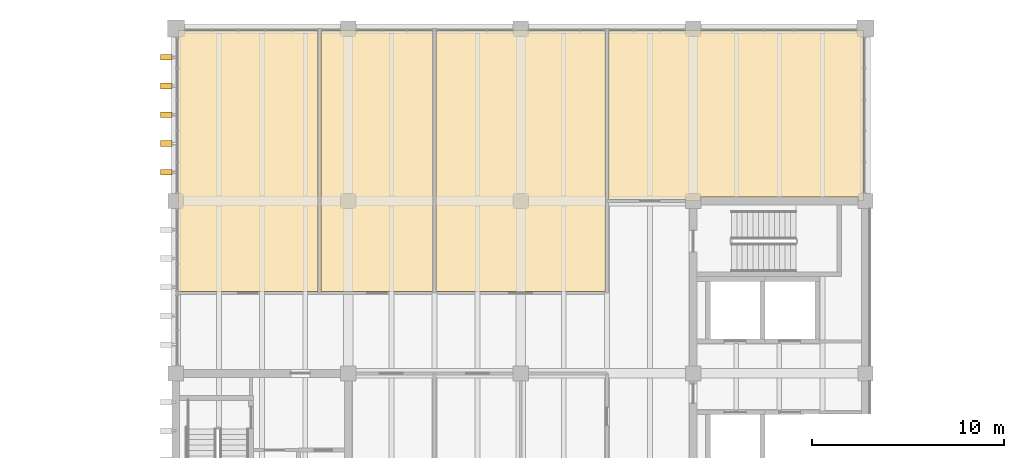
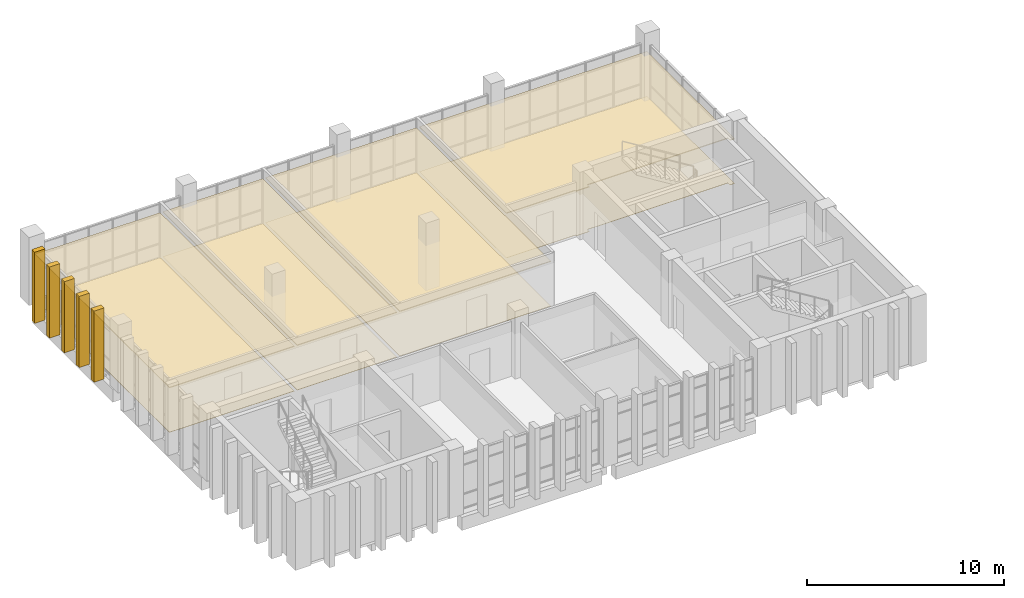
# One storey, part 29 of 29: 8 coverings, 5 shading devices.
"""IFC4 building model written with IfcOpenShell, lengths in metres."""

import ifcopenshell
import ifcopenshell.guid

model = None  # the IFC model being written
_history = None  # IfcOwnerHistory: only IFC2X3 demands one
_inside = {}  # id of a spatial element -> (the spatial element, [elements in it])
_under = {}  # id of a project, library or spatial element -> (it, [spatial elements below it])
_declared = {}  # id of a project -> (the project, [libraries it declares])
_typed = {}  # id of a type object -> (the type object, [elements of that type])
_made_of = {}  # id of a material, layer set ... -> (it, [elements and type objects made of it])


def new_model(schema):
    """Start an empty IFC model of exactly this schema.

    Asked for "IFC4X3", IfcOpenShell would pick the latest addendum, in which some entities
    have other attributes; the version numbers below select the first issue.
    IFC2X3 requires an IfcOwnerHistory on every rooted entity: one is made here for all.
    """
    global model, _history
    if schema == "IFC4X3":
        model = ifcopenshell.file(schema_version=(4, 3, 0, 0))
    else:
        model = ifcopenshell.file(schema=schema)
    _inside.clear()
    _under.clear()
    _declared.clear()
    _typed.clear()
    _made_of.clear()
    _history = None
    if model.schema == "IFC2X3":
        org = make("IfcOrganization", Name="unknown")
        user = make(
            "IfcPersonAndOrganization",
            ThePerson=make("IfcPerson", FamilyName="unknown"),
            TheOrganization=org,
        )
        app = make(
            "IfcApplication",
            ApplicationDeveloper=org,
            Version="unknown",
            ApplicationFullName="unknown",
            ApplicationIdentifier="unknown",
        )
        _history = make(
            "IfcOwnerHistory",
            OwningUser=user,
            OwningApplication=app,
            ChangeAction="ADDED",
            CreationDate=0,
        )
    return model


def make(cls, **values):
    """One entity of the class cls with the attributes given. An attribute that is None is left unset."""
    return model.create_entity(
        cls, **{name: value for name, value in values.items() if value is not None}
    )


def rooted(cls, **values):
    """An entity with a GlobalId (a new one), such as an element, a storey or a relation."""
    return make(cls, GlobalId=ifcopenshell.guid.new(), OwnerHistory=_history, **values)


def si_unit(unit_type, name, prefix=None):
    """IfcSIUnit, for example si_unit("LENGTHUNIT", "METRE", prefix="MILLI")."""
    return make("IfcSIUnit", UnitType=unit_type, Prefix=prefix, Name=name)


def assignment(units):
    """IfcUnitAssignment: the units of a project."""
    return None if units is None else make("IfcUnitAssignment", Units=units)


def point(xyz):
    """IfcCartesianPoint."""
    return None if xyz is None else make("IfcCartesianPoint", Coordinates=xyz)


def direction(xyz):
    """IfcDirection."""
    return None if xyz is None else make("IfcDirection", DirectionRatios=xyz)


def frame(location, z_axis=None, x_axis=None):
    """IfcAxis2Placement3D, a coordinate frame: its origin and axes. An axis left out is left unset."""
    return make(
        "IfcAxis2Placement3D",
        Location=point(location),
        Axis=direction(z_axis),
        RefDirection=direction(x_axis),
    )


def origin():
    """The frame at (0, 0, 0) with its axes left unset."""
    return frame((0.0, 0.0, 0.0))


def place(relative_to, where):
    """IfcLocalPlacement: puts the frame where relative to a parent placement (None: the world)."""
    return make(
        "IfcLocalPlacement", PlacementRelTo=relative_to, RelativePlacement=where
    )


def context(
    kind, dimensions, precision=None, world=None, true_north=None, identifier=None
):
    """IfcGeometricRepresentationContext, for example the 3D "Model" context."""
    return make(
        "IfcGeometricRepresentationContext",
        ContextIdentifier=identifier,
        ContextType=kind,
        CoordinateSpaceDimension=dimensions,
        Precision=precision,
        WorldCoordinateSystem=world,
        TrueNorth=true_north,
    )


def subcontext(parent, identifier, kind, view, scale=None):
    """IfcGeometricRepresentationSubContext, for example "Body" below "Model"."""
    return make(
        "IfcGeometricRepresentationSubContext",
        ContextIdentifier=identifier,
        ContextType=kind,
        ParentContext=parent,
        TargetScale=scale,
        TargetView=view,
    )


def project(units=None, contexts=None):
    """IfcProject with its units and contexts."""
    return rooted(
        "IfcProject",
        Name="project",
        RepresentationContexts=contexts,
        UnitsInContext=assignment(units),
    )


def spatial(cls, under=None, at=None, **own):
    """A site, building, storey or space (cls), placed at a placement, below another one or the project."""
    s = rooted(cls, ObjectPlacement=at, **own)
    if under is not None:
        _under.setdefault(under.id(), (under, []))[1].append(s)
    return s


def polyline(points):
    """IfcPolyline through the points."""
    return make("IfcPolyline", Points=[point(p) for p in points])


def outline(outer, holes=None, kind="AREA"):
    """IfcArbitraryClosedProfileDef: a profile drawn as a closed curve; with holes, ...WithVoids."""
    if holes is None:
        return make("IfcArbitraryClosedProfileDef", ProfileType=kind, OuterCurve=outer)
    return make(
        "IfcArbitraryProfileDefWithVoids",
        ProfileType=kind,
        OuterCurve=outer,
        InnerCurves=holes,
    )


def extrude(swept, where, along, depth):
    """IfcExtrudedAreaSolid: the profile swept, set in the frame where, extruded along a direction by depth."""
    return make(
        "IfcExtrudedAreaSolid",
        SweptArea=swept,
        Position=where,
        ExtrudedDirection=direction(along),
        Depth=depth,
    )


def shape(context_of_items, identifier, shape_type, items):
    """IfcShapeRepresentation: the items that make up one representation, for example the "Body"."""
    return make(
        "IfcShapeRepresentation",
        ContextOfItems=context_of_items,
        RepresentationIdentifier=identifier,
        RepresentationType=shape_type,
        Items=items,
    )


def source(mapping_origin, context_of_items, identifier, shape_type, items):
    """IfcRepresentationMap: a shape defined once, which mapped items show again and again."""
    return make(
        "IfcRepresentationMap",
        MappingOrigin=mapping_origin,
        MappedRepresentation=shape(context_of_items, identifier, shape_type, items),
    )


def transform(
    local_origin,
    x_axis=None,
    y_axis=None,
    z_axis=None,
    scale=None,
    scale2=None,
    scale3=None,
    uniform=True,
):
    """IfcCartesianTransformationOperator3D, or its non-uniform kind. x_axis, y_axis, z_axis: its Axis1, 2, 3."""
    if uniform:
        return make(
            "IfcCartesianTransformationOperator3D",
            Axis1=direction(x_axis),
            Axis2=direction(y_axis),
            LocalOrigin=point(local_origin),
            Scale=scale,
            Axis3=direction(z_axis),
        )
    return make(
        "IfcCartesianTransformationOperator3DnonUniform",
        Axis1=direction(x_axis),
        Axis2=direction(y_axis),
        LocalOrigin=point(local_origin),
        Scale=scale,
        Axis3=direction(z_axis),
        Scale2=scale2,
        Scale3=scale3,
    )


def mapped(mapping_source, mapping_target):
    """IfcMappedItem: shows the shape of a source again, moved by a transform."""
    return make(
        "IfcMappedItem", MappingSource=mapping_source, MappingTarget=mapping_target
    )


def material(Name=None, Category=None):
    """IfcMaterial."""
    return make("IfcMaterial", Name=Name, Category=Category)


def layer(
    of_material, thickness, ventilated=None, Name=None, Category=None, Priority=None
):
    """IfcMaterialLayer: one layer of a wall or slab, of a material (None: an air gap)."""
    return make(
        "IfcMaterialLayer",
        Material=of_material,
        LayerThickness=thickness,
        IsVentilated=ventilated,
        Name=Name,
        Category=Category,
        Priority=Priority,
    )


def layer_set(layers, Name=None):
    """IfcMaterialLayerSet."""
    return make("IfcMaterialLayerSet", MaterialLayers=layers, LayerSetName=Name)


def made_of(thing, what):
    """Note that an element or type object is made of a material, layer set ...; save() writes the relation."""
    if what is not None:
        _made_of.setdefault(what.id(), (what, []))[1].append(thing)
    return thing


def type_object(cls, material=None, **own):
    """A type object (cls), such as IfcWallType, which elements share."""
    return made_of(rooted(cls, **own), material)


def element(
    cls,
    number,
    at=None,
    inside=None,
    cuts=None,
    type_object=None,
    material=None,
    context=None,
    identifier="Body",
    shape_type=None,
    held_by="IfcProductDefinitionShape",
    body=None,
    shapes=None,
    **own,
):
    """One element of the class cls, such as IfcWall. Its Tag is "e" and its number.

    at: its placement. inside: the storey or other place that contains it. cuts: it is an
    opening in that element (IfcRelVoidsElement). A single representation is given by context,
    identifier, shape_type and body (its items); several are given by shapes. held_by: the class
    of the entity that holds the representations. save() writes the other relations.
    """
    e = rooted(cls, Tag="e%d" % number, ObjectPlacement=at, **own)
    if body is not None:
        shapes = [shape(context, identifier, shape_type, body)]
    if shapes is not None:
        e.Representation = make(held_by, Representations=shapes)
    if inside is not None:
        _inside.setdefault(inside.id(), (inside, []))[1].append(e)
    if cuts is not None:
        rooted(
            "IfcRelVoidsElement", RelatingBuildingElement=cuts, RelatedOpeningElement=e
        )
    if type_object is not None:
        _typed.setdefault(type_object.id(), (type_object, []))[1].append(e)
    return made_of(e, material)


def aggregate(whole, parts):
    """IfcRelAggregates: a whole, such as a stair, and the parts it consists of."""
    return rooted("IfcRelAggregates", RelatingObject=whole, RelatedObjects=parts)


def save(model, path):
    """Write the relations noted so far, then the file.

    IfcRelAggregates (storeys below a building ...), IfcRelContainedInSpatialStructure (elements
    in a storey), IfcRelDefinesByType, IfcRelAssociatesMaterial and IfcRelDeclares: one each for
    every whole, place, type object, material and project.
    """
    for whole, parts in _under.values():
        aggregate(whole, parts)
    for where, things in _inside.values():
        rooted(
            "IfcRelContainedInSpatialStructure",
            RelatedElements=things,
            RelatingStructure=where,
        )
    for kind, things in _typed.values():
        rooted("IfcRelDefinesByType", RelatedObjects=things, RelatingType=kind)
    for what, things in _made_of.values():
        rooted("IfcRelAssociatesMaterial", RelatedObjects=things, RelatingMaterial=what)
    for by, libraries in _declared.values():
        rooted("IfcRelDeclares", RelatingContext=by, RelatedDefinitions=libraries)
    model.write(path)


model = new_model("IFC4")

# Units and contexts
model_context = context("Model", 3, precision=1e-05, world=origin(), true_north=direction((0.0, 1.0)))
body_context = subcontext(model_context, "Body", "Model", "MODEL_VIEW")
ifc_project = project(units=[si_unit("LENGTHUNIT", "METRE"), si_unit("AREAUNIT", "SQUARE_METRE"), si_unit("VOLUMEUNIT", "CUBIC_METRE"), si_unit("PLANEANGLEUNIT", "RADIAN"), si_unit("MASSUNIT", "GRAM", prefix="KILO")], contexts=[model_context])

# Site, building, storey
site_placement = place(None, origin())
site = spatial("IfcSite", under=ifc_project, at=site_placement, CompositionType="ELEMENT")
building_placement = place(site_placement, origin())
building = spatial("IfcBuilding", under=site, at=building_placement, Name="Merrow Basin Faculty of Sciences", CompositionType="ELEMENT")
storey_placement = place(building_placement, frame((0.0, 0.0, 22.5)))
storey = spatial("IfcBuildingStorey", under=building, at=storey_placement, Name="L05", CompositionType="ELEMENT", Elevation=22.5)

# Coverings
ifc_material_1 = material(Name="Carpet tile floor")
ifc_layer_1 = layer(ifc_material_1, 0.02001953125)
ifc_layer_set_1 = layer_set([ifc_layer_1], Name="Carpet tile floor")
covering_type_1 = type_object("IfcCoveringType", Name="Carpet tile floor", PredefinedType="FLOORING", material=ifc_layer_set_1)
covering_1_placement = place(storey_placement, origin())
element("IfcCovering", 1, at=covering_1_placement, inside=storey, type_object=covering_type_1, Name="Floor finish L05-T-019", PredefinedType="FLOORING", context=body_context, shape_type="SweptSolid", body=[
    extrude(outline(polyline([(53.889892578125, 168.889892578125), (53.889892578125, 160.010009765625), (53.610107421875, 160.010009765625), (53.610107421875, 160.2099609375), (45.389892578125, 160.2099609375), (45.389892578125, 160.010009765625), (44.610107421875, 160.010009765625), (44.610107421875, 160.0849609375), (40.5849609375, 160.0849609375), (40.5849609375, 168.889892578125), (53.889892578125, 168.889892578125)])), origin(), (0.0, 0.0, 1.0), 0.02001953125),
])
ifc_material_2 = material(Name="Laboratory sheet vinyl floor")
ifc_layer_2 = layer(ifc_material_2, 0.02001953125)
ifc_layer_set_2 = layer_set([ifc_layer_2], Name="Laboratory sheet vinyl floor")
covering_type_2 = type_object("IfcCoveringType", Name="Laboratory sheet vinyl floor", PredefinedType="FLOORING", material=ifc_layer_set_2)
covering_2_placement = place(storey_placement, origin())
element("IfcCovering", 2, at=covering_2_placement, inside=storey, type_object=covering_type_2, Name="Floor finish L05-T-014", PredefinedType="FLOORING", context=body_context, shape_type="SweptSolid", body=[
    extrude(outline(polyline([(18.110107421875, 168.889892578125), (25.4150390625, 168.889892578125), (25.4150390625, 155.284912109375), (18.110107421875, 155.284912109375), (18.110107421875, 168.889892578125)])), origin(), (0.0, 0.0, 1.0), 0.02001953125),
])
covering_3_placement = place(storey_placement, origin())
element("IfcCovering", 3, at=covering_3_placement, inside=storey, type_object=covering_type_2, Name="Floor finish L05-T-015", PredefinedType="FLOORING", context=body_context, shape_type="SweptSolid", body=[
    extrude(outline(polyline([(31.4150390625, 168.889892578125), (31.4150390625, 155.284912109375), (25.5849609375, 155.284912109375), (25.5849609375, 168.889892578125), (31.4150390625, 168.889892578125)])), origin(), (0.0, 0.0, 1.0), 0.02001953125),
])
covering_4_placement = place(storey_placement, origin())
element("IfcCovering", 4, at=covering_4_placement, inside=storey, type_object=covering_type_2, Name="Floor finish L05-T-016", PredefinedType="FLOORING", context=body_context, shape_type="SweptSolid", body=[
    extrude(outline(polyline([(40.4150390625, 168.889892578125), (40.4150390625, 155.284912109375), (31.5849609375, 155.284912109375), (31.5849609375, 168.889892578125), (40.4150390625, 168.889892578125)])), origin(), (0.0, 0.0, 1.0), 0.02001953125),
])
ifc_material_3 = material(Name="Mineral fibre ceiling tile")
ifc_layer_3 = layer(ifc_material_3, 0.050048828125)
ifc_layer_set_3 = layer_set([ifc_layer_3], Name="Suspended acoustic ceiling tile")
covering_type_3 = type_object("IfcCoveringType", Name="Suspended acoustic ceiling tile", PredefinedType="CEILING", material=ifc_layer_set_3)
covering_5_placement = place(storey_placement, frame((0.0, 0.0, 2.75)))
element("IfcCovering", 5, at=covering_5_placement, inside=storey, type_object=covering_type_3, Name="Ceiling L05-T-014", PredefinedType="CEILING", context=body_context, shape_type="SweptSolid", body=[
    extrude(outline(polyline([(18.110107421875, 168.889892578125), (25.4150390625, 168.889892578125), (25.4150390625, 155.284912109375), (18.110107421875, 155.284912109375), (18.110107421875, 168.889892578125)])), origin(), (0.0, 0.0, 1.0), 0.050048828125),
])
covering_6_placement = place(storey_placement, frame((0.0, 0.0, 2.75)))
element("IfcCovering", 6, at=covering_6_placement, inside=storey, type_object=covering_type_3, Name="Ceiling L05-T-015", PredefinedType="CEILING", context=body_context, shape_type="SweptSolid", body=[
    extrude(outline(polyline([(31.4150390625, 168.889892578125), (31.4150390625, 155.284912109375), (25.5849609375, 155.284912109375), (25.5849609375, 168.889892578125), (31.4150390625, 168.889892578125)])), origin(), (0.0, 0.0, 1.0), 0.050048828125),
])
covering_7_placement = place(storey_placement, frame((0.0, 0.0, 2.75)))
element("IfcCovering", 7, at=covering_7_placement, inside=storey, type_object=covering_type_3, Name="Ceiling L05-T-016", PredefinedType="CEILING", context=body_context, shape_type="SweptSolid", body=[
    extrude(outline(polyline([(40.4150390625, 168.889892578125), (40.4150390625, 155.284912109375), (31.5849609375, 155.284912109375), (31.5849609375, 168.889892578125), (40.4150390625, 168.889892578125)])), origin(), (0.0, 0.0, 1.0), 0.050048828125),
])
covering_8_placement = place(storey_placement, frame((0.0, 0.0, 2.75)))
element("IfcCovering", 8, at=covering_8_placement, inside=storey, type_object=covering_type_3, Name="Ceiling L05-T-019", PredefinedType="CEILING", context=body_context, shape_type="SweptSolid", body=[
    extrude(outline(polyline([(53.889892578125, 168.889892578125), (53.889892578125, 160.010009765625), (53.610107421875, 160.010009765625), (53.610107421875, 160.2099609375), (45.389892578125, 160.2099609375), (45.389892578125, 160.010009765625), (44.610107421875, 160.010009765625), (44.610107421875, 160.0849609375), (40.5849609375, 160.0849609375), (40.5849609375, 168.889892578125), (53.889892578125, 168.889892578125)])), origin(), (0.0, 0.0, 1.0), 0.050048828125),
])

# Shading devices
ifc_material_4 = material(Name="White precast concrete C50/60", Category="concrete")
shading_device_type = type_object("IfcShadingDeviceType", Name="White precast fin 300 x 600", PredefinedType="USERDEFINED", material=ifc_material_4)
shared_shape = source(origin(), body_context, "Body", "SweptSolid", [
    extrude(outline(polyline([(0.0, 0.0), (0.300048828125, 0.0), (0.300048828125, 4.39990234375), (0.0, 4.39990234375), (0.0, 0.0)])), origin(), (0.0, 0.0, 1.0), 0.60009765625),
])
for number, where, z_axis, x_axis, name in (
    (9, (17.800048828125, 161.64990234375, -0.25), (-1.0, 0.0, 0.0), (0.0, -1.0, 0.0), "Brise-soleil fin WL05"),
    (10, (17.800048828125, 163.14990234375, -0.25), (-1.0, 0.0, 0.0), (0.0, -1.0, 0.0), "Brise-soleil fin WL05"),
    (11, (17.800048828125, 164.64990234375, -0.25), (-1.0, 0.0, 0.0), (0.0, -1.0, 0.0), "Brise-soleil fin WL05"),
    (12, (17.800048828125, 166.14990234375, -0.25), (-1.0, 0.0, 0.0), (0.0, -1.0, 0.0), "Brise-soleil fin WL05"),
    (13, (17.800048828125, 167.64990234375, -0.25), (-1.0, 0.0, 0.0), (0.0, -1.0, 0.0), "Brise-soleil fin WL05"),
):
    element("IfcShadingDevice", number, at=place(storey_placement, frame(where, z_axis=z_axis, x_axis=x_axis)), inside=storey, type_object=shading_device_type, Name=name, ObjectType="FIN", PredefinedType="USERDEFINED", context=body_context, shape_type="MappedRepresentation", body=[
        mapped(shared_shape, transform((0.0, 0.0, 0.0), scale=1.0)),
    ])

save(model, "model.ifc")
